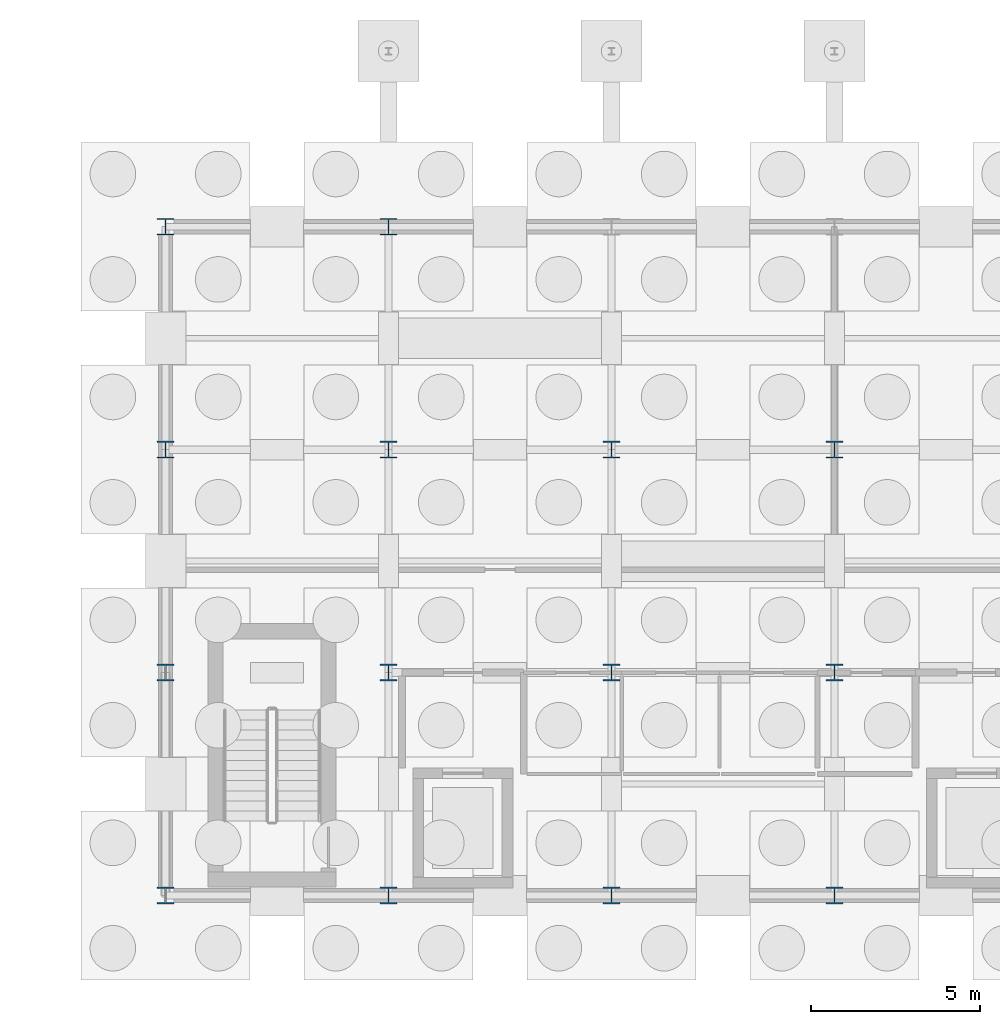
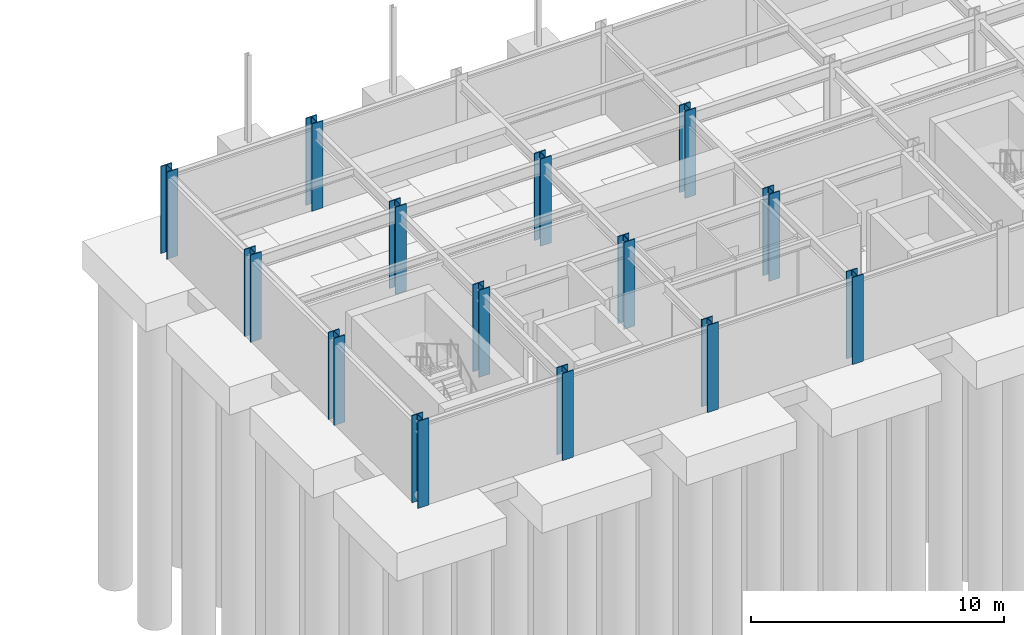
# One storey, part 14 of 58: 14 columns.
"""IFC4 building model written with IfcOpenShell, lengths in metres."""

from ifc_helpers import new_model, si_unit, direction, frame, origin, origin_2d, place, context, subcontext, project, spatial, i_section, extrude, material, material_profile, profile_set, type_object, element, save


model = new_model("IFC4")

# Units and contexts
model_context = context("Model", 3, precision=1e-05, world=origin(), true_north=direction((0.0, 1.0)))
body_context = subcontext(model_context, "Body", "Model", "MODEL_VIEW")
ifc_project = project(units=[si_unit("LENGTHUNIT", "METRE"), si_unit("AREAUNIT", "SQUARE_METRE"), si_unit("VOLUMEUNIT", "CUBIC_METRE"), si_unit("PLANEANGLEUNIT", "RADIAN"), si_unit("MASSUNIT", "GRAM", prefix="KILO")], contexts=[model_context])

# Site, building, storey
site_placement = place(None, origin())
site = spatial("IfcSite", under=ifc_project, at=site_placement, CompositionType="ELEMENT")
building_placement = place(site_placement, origin())
building = spatial("IfcBuilding", under=site, at=building_placement, Name="Karori Crest Natural Sciences Institute", CompositionType="ELEMENT")
storey_placement = place(building_placement, frame((0.0, 0.0, -4.199951171875)))
storey = spatial("IfcBuildingStorey", under=building, at=storey_placement, Name="B1", CompositionType="ELEMENT", Elevation=-4.199951171875)

# Columns
ifc_material = material(Name="Structural steel AS/NZS 3679.1 Grade 350", Category="steel")
ifc_material_profile = material_profile(ifc_material, i_section(OverallWidth=0.5, OverallDepth=0.5, WebThickness=0.02197265625, FlangeThickness=0.0400390625, FilletRadius=0.01611328125, at=origin_2d()), Name="500WC440")
ifc_profile_set = profile_set([ifc_material_profile], Name="Structural steel AS/NZS 3679.1 Grade 350")
column_type = type_object("IfcColumnType", Name="CT-01", PredefinedType="COLUMN", material=ifc_profile_set)
for number, where, z_axis, x_axis, name in (
    (1, (103.60009765625, 0.800048828125, 0.0), (0.0, 0.0, 1.0), (1.0, 0.0, 0.0), "Column C-1017"),
    (2, (103.60009765625, 7.39990234375, 0.0), (0.0, 0.0, 1.0), (1.0, 0.0, 0.0), "Column C-1029"),
    (3, (103.60009765625, 14.0, 0.0), (0.0, 0.0, 1.0), (1.0, 0.0, 0.0), "Column C-1041"),
    (4, (103.60009765625, 20.60009765625, 0.0), (0.0, 0.0, 1.0), (1.0, 0.0, 0.0), "Column C-1053"),
    (5, (110.199951171875, 0.800048828125, 0.0), (0.0, 0.0, 1.0), (1.0, 0.0, 0.0), "Column C-1065"),
    (6, (110.199951171875, 7.39990234375, 0.0), (0.0, 0.0, 1.0), (1.0, 0.0, 0.0), "Column C-1077"),
    (7, (110.199951171875, 14.0, 0.0), (0.0, 0.0, 1.0), (1.0, 0.0, 0.0), "Column C-1089"),
    (8, (110.199951171875, 20.60009765625, 0.0), (0.0, 0.0, 1.0), (1.0, 0.0, 0.0), "Column C-1101"),
    (9, (116.800048828125, 0.800048828125, 0.0), (0.0, 0.0, 1.0), (1.0, 0.0, 0.0), "Column C-1113"),
    (10, (116.800048828125, 7.39990234375, 0.0), (0.0, 0.0, 1.0), (1.0, 0.0, 0.0), "Column C-1125"),
    (11, (116.800048828125, 14.0, 0.0), (0.0, 0.0, 1.0), (1.0, 0.0, 0.0), "Column C-1137"),
    (12, (123.39990234375, 0.800048828125, 0.0), (0.0, 0.0, 1.0), (1.0, 0.0, 0.0), "Column C-1161"),
    (13, (123.39990234375, 7.39990234375, 0.0), (0.0, 0.0, 1.0), (1.0, 0.0, 0.0), "Column C-1173"),
    (14, (123.39990234375, 14.0, 0.0), (0.0, 0.0, 1.0), (1.0, 0.0, 0.0), "Column C-1185"),
):
    element("IfcColumn", number, at=place(storey_placement, frame(where, z_axis=z_axis, x_axis=x_axis)), inside=storey, type_object=column_type, Name=name, PredefinedType="COLUMN", context=body_context, shape_type="SweptSolid", body=[
        extrude(i_section(OverallWidth=0.5, OverallDepth=0.5, WebThickness=0.02197265625, FlangeThickness=0.0400390625, FilletRadius=0.01611328125, at=origin_2d()), origin(), (0.0, 0.0, 1.0), 4.199951171875),
    ])

save(model, "model.ifc")
